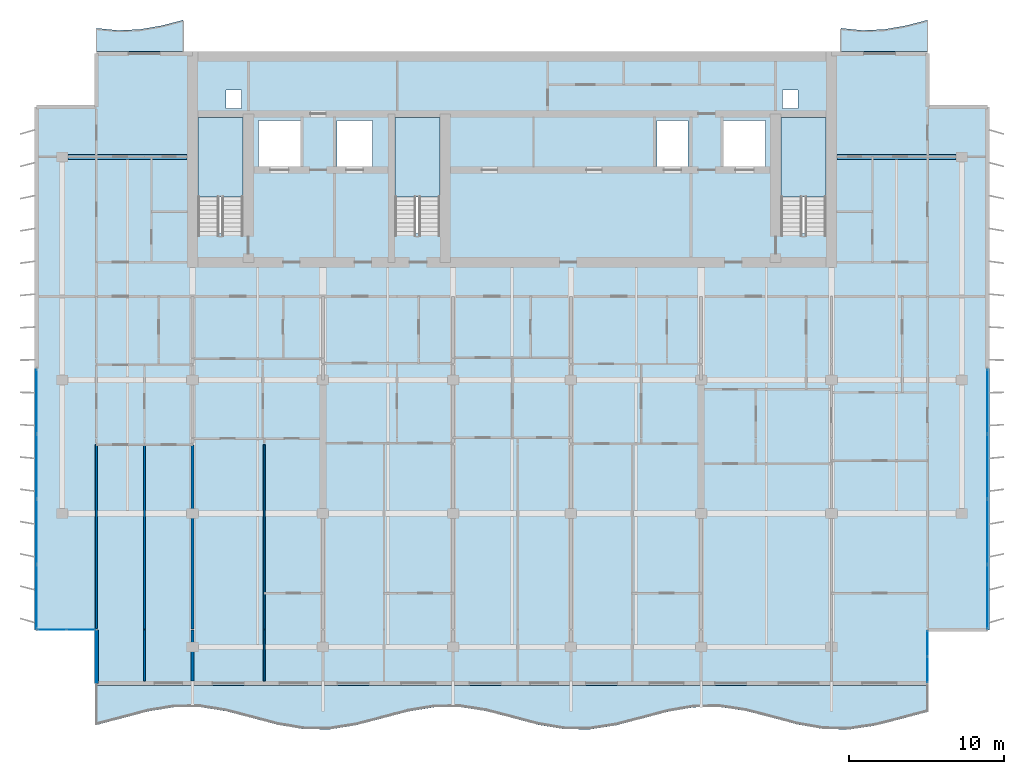
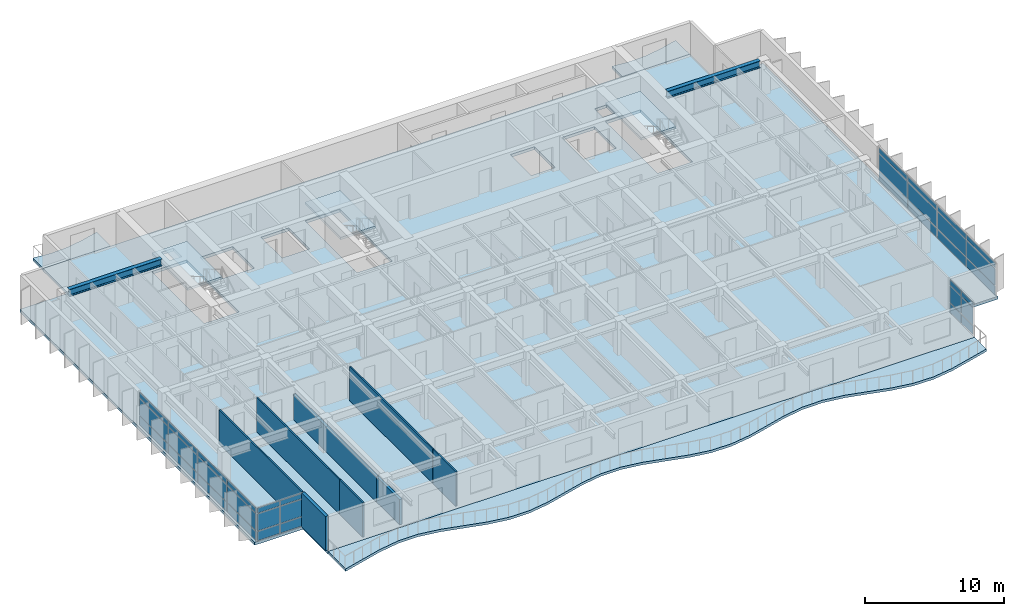
# One storey, part 5 of 16: 36 plates, 8 walls, 7 slabs, 2 beams, 7 elements without a shape of their own.
"""IFC4 building model written with IfcOpenShell, lengths in metres."""

from ifc_helpers import new_model, si_unit, direction, frame, frame_2d, origin, origin_2d, place, context, subcontext, project, spatial, polyline, rectangle, i_section, outline, extrude, material, layer, layer_set, material_profile, profile_set, type_object, element, aggregate, save


model = new_model("IFC4")

# Units and contexts
model_context = context("Model", 3, precision=1e-05, world=origin(), true_north=direction((0.0, 1.0)))
body_context = subcontext(model_context, "Body", "Model", "MODEL_VIEW")
ifc_project = project(units=[si_unit("LENGTHUNIT", "METRE"), si_unit("AREAUNIT", "SQUARE_METRE"), si_unit("VOLUMEUNIT", "CUBIC_METRE"), si_unit("PLANEANGLEUNIT", "RADIAN"), si_unit("MASSUNIT", "GRAM", prefix="KILO")], contexts=[model_context])

# Site, building, storey
site_placement = place(None, origin())
site = spatial("IfcSite", under=ifc_project, at=site_placement, CompositionType="ELEMENT")
building_placement = place(site_placement, origin())
building = spatial("IfcBuilding", under=site, at=building_placement, Name="Caelmar Bay Residences", CompositionType="ELEMENT")
storey_placement = place(building_placement, frame((0.0, 0.0, 266.10009765625)))
storey = spatial("IfcBuildingStorey", under=building, at=storey_placement, Name="L75", CompositionType="ELEMENT", Elevation=266.10009765625)

# Beams
ifc_material_1 = material(Name="Steel ASTM A992 Grade 50", Category="steel")
ifc_material_profile = material_profile(ifc_material_1, i_section(OverallWidth=0.324951171875, OverallDepth=0.616943359375, WebThickness=0.013916015625, FlangeThickness=0.021484375, FilletRadius=0.0126953125, at=origin_2d()), Name="W24X117")
ifc_profile_set = profile_set([ifc_material_profile], Name="Steel ASTM A992 Grade 50")
beam_type = type_object("IfcBeamType", Name="BM-SPN-W24X117", PredefinedType="SPANDREL", material=ifc_profile_set)
beam_1_placement = place(storey_placement, frame((10.264892578125, 43.800048828125, 2.69140625), z_axis=(1.0, 0.0, 0.0), x_axis=(0.0, 1.0, 0.0)))
element("IfcBeam", 1, at=beam_1_placement, inside=storey, type_object=beam_type, Name="L75 North-West Wing Core Tie Girder", PredefinedType="SPANDREL", context=body_context, shape_type="SweptSolid", body=[
    extrude(i_section(OverallWidth=0.324951171875, OverallDepth=0.616943359375, WebThickness=0.013916015625, FlangeThickness=0.021484375, FilletRadius=0.0126953125, at=origin_2d()), origin(), (0.0, 0.0, 1.0), 7.68505859375),
])
beam_2_placement = place(storey_placement, frame((59.85009765625, 43.800048828125, 2.69140625), z_axis=(1.0, 0.0, 0.0), x_axis=(0.0, 1.0, 0.0)))
element("IfcBeam", 2, at=beam_2_placement, inside=storey, type_object=beam_type, Name="L75 North-East Wing Core Tie Girder", PredefinedType="SPANDREL", context=body_context, shape_type="SweptSolid", body=[
    extrude(i_section(OverallWidth=0.324951171875, OverallDepth=0.616943359375, WebThickness=0.013916015625, FlangeThickness=0.021484375, FilletRadius=0.0126953125, at=origin_2d()), origin(), (0.0, 0.0, 1.0), 7.684814453125),
])

# Curtain wall, plates
ifc_material_2 = material(Name="Anodised bronze aluminium 6063-T6 and laminated glass", Category="aluminium")
ifc_layer_1 = layer(ifc_material_2, 0.179931640625)
ifc_layer_set_1 = layer_set([ifc_layer_1], Name="Anodised bronze aluminium 6063-T6 and laminated glass")
curtain_wall_type_1 = type_object("IfcCurtainWallType", Name="CW6-NTC", PredefinedType="NOTDEFINED", material=ifc_layer_set_1)
curtain_wall_1_placement = place(storey_placement, origin())
curtain_wall_1 = element("IfcCurtainWall", 3, at=curtain_wall_1_placement, inside=storey, type_object=curtain_wall_type_1, Name="CW6 curtain wall L75", PredefinedType="NOTDEFINED")
ifc_material_3 = material(Name="Bronze-tinted laminated low-E hurricane glass 28 mm", Category="glass")
ifc_layer_2 = layer(ifc_material_3, 0.028076171875)
ifc_layer_set_2 = layer_set([ifc_layer_2], Name="Bronze-tinted laminated low-E hurricane glass 28 mm")
plate_type_1 = type_object("IfcPlateType", Name="CWP-GLZ28", PredefinedType="CURTAIN_PANEL", material=ifc_layer_set_2)
plate_1_placement = place(storey_placement, frame((9.232421875, 13.300048828125, 0.080078125), z_axis=(0.0, 0.0, 1.0), x_axis=(1.0, 0.0, 0.0)))
plate_1 = element("IfcPlate", 4, at=plate_1_placement, type_object=plate_type_1, Name="CW6 panel 1.1", PredefinedType="CURTAIN_PANEL", context=body_context, shape_type="SweptSolid", body=[
    extrude(rectangle(XDim=1.804931640625, YDim=0.028076171875, at=origin_2d()), origin(), (0.0, 0.0, 1.0), 0.780029296875),
])
plate_2_placement = place(storey_placement, frame((9.232421875, 13.300048828125, 0.93994140625), z_axis=(0.0, 0.0, 1.0), x_axis=(1.0, 0.0, 0.0)))
plate_2 = element("IfcPlate", 5, at=plate_2_placement, type_object=plate_type_1, Name="CW6 panel 1.2", PredefinedType="CURTAIN_PANEL", context=body_context, shape_type="SweptSolid", body=[
    extrude(rectangle(XDim=1.804931640625, YDim=0.028076171875, at=origin_2d()), origin(), (0.0, 0.0, 1.0), 1.469970703125),
])
plate_3_placement = place(storey_placement, frame((9.232421875, 13.300048828125, 2.48974609375), z_axis=(0.0, 0.0, 1.0), x_axis=(1.0, 0.0, 0.0)))
plate_3 = element("IfcPlate", 6, at=plate_3_placement, type_object=plate_type_1, Name="CW6 panel 1.3", PredefinedType="CURTAIN_PANEL", context=body_context, shape_type="SweptSolid", body=[
    extrude(rectangle(XDim=1.804931640625, YDim=0.028076171875, at=origin_2d()), origin(), (0.0, 0.0, 1.0), 0.429931640625),
])
plate_4_placement = place(storey_placement, frame((11.117431640625, 13.300048828125, 0.080078125), z_axis=(0.0, 0.0, 1.0), x_axis=(1.0, 0.0, 0.0)))
plate_4 = element("IfcPlate", 7, at=plate_4_placement, type_object=plate_type_1, Name="CW6 panel 2.1", PredefinedType="CURTAIN_PANEL", context=body_context, shape_type="SweptSolid", body=[
    extrude(rectangle(XDim=1.804931640625, YDim=0.028076171875, at=origin_2d()), origin(), (0.0, 0.0, 1.0), 0.780029296875),
])
plate_5_placement = place(storey_placement, frame((11.117431640625, 13.300048828125, 0.93994140625), z_axis=(0.0, 0.0, 1.0), x_axis=(1.0, 0.0, 0.0)))
plate_5 = element("IfcPlate", 8, at=plate_5_placement, type_object=plate_type_1, Name="CW6 panel 2.2", PredefinedType="CURTAIN_PANEL", context=body_context, shape_type="SweptSolid", body=[
    extrude(rectangle(XDim=1.804931640625, YDim=0.028076171875, at=origin_2d()), origin(), (0.0, 0.0, 1.0), 1.469970703125),
])
plate_6_placement = place(storey_placement, frame((11.117431640625, 13.300048828125, 2.48974609375), z_axis=(0.0, 0.0, 1.0), x_axis=(1.0, 0.0, 0.0)))
plate_6 = element("IfcPlate", 9, at=plate_6_placement, type_object=plate_type_1, Name="CW6 panel 2.3", PredefinedType="CURTAIN_PANEL", context=body_context, shape_type="SweptSolid", body=[
    extrude(rectangle(XDim=1.804931640625, YDim=0.028076171875, at=origin_2d()), origin(), (0.0, 0.0, 1.0), 0.429931640625),
])
aggregate(curtain_wall_1, [plate_1, plate_2, plate_3, plate_4, plate_5, plate_6])

curtain_wall_2_placement = place(storey_placement, origin())
curtain_wall_2 = element("IfcCurtainWall", 10, at=curtain_wall_2_placement, inside=storey, type_object=curtain_wall_type_1, Name="CW6 curtain wall L75", PredefinedType="NOTDEFINED")
plate_7_placement = place(storey_placement, frame((65.699951171875, 10.732421875, 0.080078125), z_axis=(0.0, 0.0, 1.0), x_axis=(0.0, 1.0, 0.0)))
plate_7 = element("IfcPlate", 11, at=plate_7_placement, type_object=plate_type_1, Name="CW6 panel 1.1", PredefinedType="CURTAIN_PANEL", context=body_context, shape_type="SweptSolid", body=[
    extrude(rectangle(XDim=1.60498046875, YDim=0.028076171875, at=origin_2d()), origin(), (0.0, 0.0, 1.0), 0.780029296875),
])
plate_8_placement = place(storey_placement, frame((65.699951171875, 10.732421875, 0.93994140625), z_axis=(0.0, 0.0, 1.0), x_axis=(0.0, 1.0, 0.0)))
plate_8 = element("IfcPlate", 12, at=plate_8_placement, type_object=plate_type_1, Name="CW6 panel 1.2", PredefinedType="CURTAIN_PANEL", context=body_context, shape_type="SweptSolid", body=[
    extrude(rectangle(XDim=1.60498046875, YDim=0.028076171875, at=origin_2d()), origin(), (0.0, 0.0, 1.0), 1.469970703125),
])
plate_9_placement = place(storey_placement, frame((65.699951171875, 10.732421875, 2.48974609375), z_axis=(0.0, 0.0, 1.0), x_axis=(0.0, 1.0, 0.0)))
plate_9 = element("IfcPlate", 13, at=plate_9_placement, type_object=plate_type_1, Name="CW6 panel 1.3", PredefinedType="CURTAIN_PANEL", context=body_context, shape_type="SweptSolid", body=[
    extrude(rectangle(XDim=1.60498046875, YDim=0.028076171875, at=origin_2d()), origin(), (0.0, 0.0, 1.0), 0.429931640625),
])
plate_10_placement = place(storey_placement, frame((65.699951171875, 12.41748046875, 0.080078125), z_axis=(0.0, 0.0, 1.0), x_axis=(0.0, 1.0, 0.0)))
plate_10 = element("IfcPlate", 14, at=plate_10_placement, type_object=plate_type_1, Name="CW6 panel 2.1", PredefinedType="CURTAIN_PANEL", context=body_context, shape_type="SweptSolid", body=[
    extrude(rectangle(XDim=1.60498046875, YDim=0.028076171875, at=origin_2d()), origin(), (0.0, 0.0, 1.0), 0.780029296875),
])
plate_11_placement = place(storey_placement, frame((65.699951171875, 12.41748046875, 0.93994140625), z_axis=(0.0, 0.0, 1.0), x_axis=(0.0, 1.0, 0.0)))
plate_11 = element("IfcPlate", 15, at=plate_11_placement, type_object=plate_type_1, Name="CW6 panel 2.2", PredefinedType="CURTAIN_PANEL", context=body_context, shape_type="SweptSolid", body=[
    extrude(rectangle(XDim=1.60498046875, YDim=0.028076171875, at=origin_2d()), origin(), (0.0, 0.0, 1.0), 1.469970703125),
])
plate_12_placement = place(storey_placement, frame((65.699951171875, 12.41748046875, 2.48974609375), z_axis=(0.0, 0.0, 1.0), x_axis=(0.0, 1.0, 0.0)))
plate_12 = element("IfcPlate", 16, at=plate_12_placement, type_object=plate_type_1, Name="CW6 panel 2.3", PredefinedType="CURTAIN_PANEL", context=body_context, shape_type="SweptSolid", body=[
    extrude(rectangle(XDim=1.60498046875, YDim=0.028076171875, at=origin_2d()), origin(), (0.0, 0.0, 1.0), 0.429931640625),
])
aggregate(curtain_wall_2, [plate_7, plate_8, plate_9, plate_10, plate_11, plate_12])

ifc_layer_3 = layer(ifc_material_2, 0.179931640625)
ifc_layer_set_3 = layer_set([ifc_layer_3], Name="Anodised bronze aluminium 6063-T6 and laminated glass")
curtain_wall_type_2 = type_object("IfcCurtainWallType", Name="CW5-Z4", PredefinedType="NOTDEFINED", material=ifc_layer_set_3)
curtain_wall_3_placement = place(storey_placement, origin())
curtain_wall_3 = element("IfcCurtainWall", 17, at=curtain_wall_3_placement, inside=storey, type_object=curtain_wall_type_2, Name="CW5 curtain wall L75", PredefinedType="NOTDEFINED")
ifc_material_4 = material(Name="Bronze-tinted laminated low-E hurricane glass 32 mm", Category="glass")
ifc_layer_4 = layer(ifc_material_4, 0.031982421875)
ifc_layer_set_4 = layer_set([ifc_layer_4], Name="Bronze-tinted laminated low-E hurricane glass 32 mm")
plate_type_2 = type_object("IfcPlateType", Name="CWP-GLZ32", PredefinedType="CURTAIN_PANEL", material=ifc_layer_set_4)
plate_13_placement = place(storey_placement, frame((8.25, 15.42626953125, 0.080078125), z_axis=(0.0, 0.0, 1.0), x_axis=(0.0, 1.0, 0.0)))
plate_13 = element("IfcPlate", 18, at=plate_13_placement, type_object=plate_type_2, Name="CW5 panel 1.1", PredefinedType="CURTAIN_PANEL", context=body_context, shape_type="SweptSolid", body=[
    extrude(rectangle(XDim=4.092529296875, YDim=0.031982421875, at=origin_2d()), origin(), (0.0, 0.0, 1.0), 0.780029296875),
])
plate_14_placement = place(storey_placement, frame((8.25, 15.42626953125, 0.93994140625), z_axis=(0.0, 0.0, 1.0), x_axis=(0.0, 1.0, 0.0)))
plate_14 = element("IfcPlate", 19, at=plate_14_placement, type_object=plate_type_2, Name="CW5 panel 1.2", PredefinedType="CURTAIN_PANEL", context=body_context, shape_type="SweptSolid", body=[
    extrude(rectangle(XDim=4.092529296875, YDim=0.031982421875, at=origin_2d()), origin(), (0.0, 0.0, 1.0), 1.469970703125),
])
plate_15_placement = place(storey_placement, frame((8.25, 15.42626953125, 2.48974609375), z_axis=(0.0, 0.0, 1.0), x_axis=(0.0, 1.0, 0.0)))
plate_15 = element("IfcPlate", 20, at=plate_15_placement, type_object=plate_type_2, Name="CW5 panel 1.3", PredefinedType="CURTAIN_PANEL", context=body_context, shape_type="SweptSolid", body=[
    extrude(rectangle(XDim=4.092529296875, YDim=0.031982421875, at=origin_2d()), origin(), (0.0, 0.0, 1.0), 0.429931640625),
])
plate_16_placement = place(storey_placement, frame((8.25, 19.61865234375, 0.080078125), z_axis=(0.0, 0.0, 1.0), x_axis=(0.0, 1.0, 0.0)))
plate_16 = element("IfcPlate", 21, at=plate_16_placement, type_object=plate_type_2, Name="CW5 panel 2.1", PredefinedType="CURTAIN_PANEL", context=body_context, shape_type="SweptSolid", body=[
    extrude(rectangle(XDim=4.132568359375, YDim=0.031982421875, at=origin_2d()), origin(), (0.0, 0.0, 1.0), 0.780029296875),
])
plate_17_placement = place(storey_placement, frame((8.25, 19.61865234375, 0.93994140625), z_axis=(0.0, 0.0, 1.0), x_axis=(0.0, 1.0, 0.0)))
plate_17 = element("IfcPlate", 22, at=plate_17_placement, type_object=plate_type_2, Name="CW5 panel 2.2", PredefinedType="CURTAIN_PANEL", context=body_context, shape_type="SweptSolid", body=[
    extrude(rectangle(XDim=4.132568359375, YDim=0.031982421875, at=origin_2d()), origin(), (0.0, 0.0, 1.0), 1.469970703125),
])
plate_18_placement = place(storey_placement, frame((8.25, 19.61865234375, 2.48974609375), z_axis=(0.0, 0.0, 1.0), x_axis=(0.0, 1.0, 0.0)))
plate_18 = element("IfcPlate", 23, at=plate_18_placement, type_object=plate_type_2, Name="CW5 panel 2.3", PredefinedType="CURTAIN_PANEL", context=body_context, shape_type="SweptSolid", body=[
    extrude(rectangle(XDim=4.132568359375, YDim=0.031982421875, at=origin_2d()), origin(), (0.0, 0.0, 1.0), 0.429931640625),
])
plate_19_placement = place(storey_placement, frame((8.25, 23.831298828125, 0.080078125), z_axis=(0.0, 0.0, 1.0), x_axis=(0.0, 1.0, 0.0)))
plate_19 = element("IfcPlate", 24, at=plate_19_placement, type_object=plate_type_2, Name="CW5 panel 3.1", PredefinedType="CURTAIN_PANEL", context=body_context, shape_type="SweptSolid", body=[
    extrude(rectangle(XDim=4.132568359375, YDim=0.031982421875, at=origin_2d()), origin(), (0.0, 0.0, 1.0), 0.780029296875),
])
plate_20_placement = place(storey_placement, frame((8.25, 23.831298828125, 0.93994140625), z_axis=(0.0, 0.0, 1.0), x_axis=(0.0, 1.0, 0.0)))
plate_20 = element("IfcPlate", 25, at=plate_20_placement, type_object=plate_type_2, Name="CW5 panel 3.2", PredefinedType="CURTAIN_PANEL", context=body_context, shape_type="SweptSolid", body=[
    extrude(rectangle(XDim=4.132568359375, YDim=0.031982421875, at=origin_2d()), origin(), (0.0, 0.0, 1.0), 1.469970703125),
])
plate_21_placement = place(storey_placement, frame((8.25, 23.831298828125, 2.48974609375), z_axis=(0.0, 0.0, 1.0), x_axis=(0.0, 1.0, 0.0)))
plate_21 = element("IfcPlate", 26, at=plate_21_placement, type_object=plate_type_2, Name="CW5 panel 3.3", PredefinedType="CURTAIN_PANEL", context=body_context, shape_type="SweptSolid", body=[
    extrude(rectangle(XDim=4.132568359375, YDim=0.031982421875, at=origin_2d()), origin(), (0.0, 0.0, 1.0), 0.429931640625),
])
plate_22_placement = place(storey_placement, frame((8.25, 28.023681640625, 0.080078125), z_axis=(0.0, 0.0, 1.0), x_axis=(0.0, 1.0, 0.0)))
plate_22 = element("IfcPlate", 27, at=plate_22_placement, type_object=plate_type_2, Name="CW5 panel 4.1", PredefinedType="CURTAIN_PANEL", context=body_context, shape_type="SweptSolid", body=[
    extrude(rectangle(XDim=4.092529296875, YDim=0.031982421875, at=origin_2d()), origin(), (0.0, 0.0, 1.0), 0.780029296875),
])
plate_23_placement = place(storey_placement, frame((8.25, 28.023681640625, 0.93994140625), z_axis=(0.0, 0.0, 1.0), x_axis=(0.0, 1.0, 0.0)))
plate_23 = element("IfcPlate", 28, at=plate_23_placement, type_object=plate_type_2, Name="CW5 panel 4.2", PredefinedType="CURTAIN_PANEL", context=body_context, shape_type="SweptSolid", body=[
    extrude(rectangle(XDim=4.092529296875, YDim=0.031982421875, at=origin_2d()), origin(), (0.0, 0.0, 1.0), 1.469970703125),
])
plate_24_placement = place(storey_placement, frame((8.25, 28.023681640625, 2.48974609375), z_axis=(0.0, 0.0, 1.0), x_axis=(0.0, 1.0, 0.0)))
plate_24 = element("IfcPlate", 29, at=plate_24_placement, type_object=plate_type_2, Name="CW5 panel 4.3", PredefinedType="CURTAIN_PANEL", context=body_context, shape_type="SweptSolid", body=[
    extrude(rectangle(XDim=4.092529296875, YDim=0.031982421875, at=origin_2d()), origin(), (0.0, 0.0, 1.0), 0.429931640625),
])
aggregate(curtain_wall_3, [plate_13, plate_14, plate_15, plate_16, plate_17, plate_18, plate_19, plate_20, plate_21, plate_22, plate_23, plate_24])

curtain_wall_4_placement = place(storey_placement, origin())
curtain_wall_4 = element("IfcCurtainWall", 30, at=curtain_wall_4_placement, inside=storey, type_object=curtain_wall_type_2, Name="CW5 curtain wall L75", PredefinedType="NOTDEFINED")
plate_25_placement = place(storey_placement, frame((69.550048828125, 28.023681640625, 0.080078125), z_axis=(0.0, 0.0, 1.0), x_axis=(0.0, -1.0, 0.0)))
plate_25 = element("IfcPlate", 31, at=plate_25_placement, type_object=plate_type_2, Name="CW5 panel 1.1", PredefinedType="CURTAIN_PANEL", context=body_context, shape_type="SweptSolid", body=[
    extrude(rectangle(XDim=4.092529296875, YDim=0.031982421875, at=origin_2d()), origin(), (0.0, 0.0, 1.0), 0.780029296875),
])
plate_26_placement = place(storey_placement, frame((69.550048828125, 28.023681640625, 0.93994140625), z_axis=(0.0, 0.0, 1.0), x_axis=(0.0, -1.0, 0.0)))
plate_26 = element("IfcPlate", 32, at=plate_26_placement, type_object=plate_type_2, Name="CW5 panel 1.2", PredefinedType="CURTAIN_PANEL", context=body_context, shape_type="SweptSolid", body=[
    extrude(rectangle(XDim=4.092529296875, YDim=0.031982421875, at=origin_2d()), origin(), (0.0, 0.0, 1.0), 1.469970703125),
])
plate_27_placement = place(storey_placement, frame((69.550048828125, 28.023681640625, 2.48974609375), z_axis=(0.0, 0.0, 1.0), x_axis=(0.0, -1.0, 0.0)))
plate_27 = element("IfcPlate", 33, at=plate_27_placement, type_object=plate_type_2, Name="CW5 panel 1.3", PredefinedType="CURTAIN_PANEL", context=body_context, shape_type="SweptSolid", body=[
    extrude(rectangle(XDim=4.092529296875, YDim=0.031982421875, at=origin_2d()), origin(), (0.0, 0.0, 1.0), 0.429931640625),
])
plate_28_placement = place(storey_placement, frame((69.550048828125, 23.831298828125, 0.080078125), z_axis=(0.0, 0.0, 1.0), x_axis=(0.0, -1.0, 0.0)))
plate_28 = element("IfcPlate", 34, at=plate_28_placement, type_object=plate_type_2, Name="CW5 panel 2.1", PredefinedType="CURTAIN_PANEL", context=body_context, shape_type="SweptSolid", body=[
    extrude(rectangle(XDim=4.132568359375, YDim=0.031982421875, at=origin_2d()), origin(), (0.0, 0.0, 1.0), 0.780029296875),
])
plate_29_placement = place(storey_placement, frame((69.550048828125, 23.831298828125, 0.93994140625), z_axis=(0.0, 0.0, 1.0), x_axis=(0.0, -1.0, 0.0)))
plate_29 = element("IfcPlate", 35, at=plate_29_placement, type_object=plate_type_2, Name="CW5 panel 2.2", PredefinedType="CURTAIN_PANEL", context=body_context, shape_type="SweptSolid", body=[
    extrude(rectangle(XDim=4.132568359375, YDim=0.031982421875, at=origin_2d()), origin(), (0.0, 0.0, 1.0), 1.469970703125),
])
plate_30_placement = place(storey_placement, frame((69.550048828125, 23.831298828125, 2.48974609375), z_axis=(0.0, 0.0, 1.0), x_axis=(0.0, -1.0, 0.0)))
plate_30 = element("IfcPlate", 36, at=plate_30_placement, type_object=plate_type_2, Name="CW5 panel 2.3", PredefinedType="CURTAIN_PANEL", context=body_context, shape_type="SweptSolid", body=[
    extrude(rectangle(XDim=4.132568359375, YDim=0.031982421875, at=origin_2d()), origin(), (0.0, 0.0, 1.0), 0.429931640625),
])
plate_31_placement = place(storey_placement, frame((69.550048828125, 19.61865234375, 0.080078125), z_axis=(0.0, 0.0, 1.0), x_axis=(0.0, -1.0, 0.0)))
plate_31 = element("IfcPlate", 37, at=plate_31_placement, type_object=plate_type_2, Name="CW5 panel 3.1", PredefinedType="CURTAIN_PANEL", context=body_context, shape_type="SweptSolid", body=[
    extrude(rectangle(XDim=4.132568359375, YDim=0.031982421875, at=origin_2d()), origin(), (0.0, 0.0, 1.0), 0.780029296875),
])
plate_32_placement = place(storey_placement, frame((69.550048828125, 19.61865234375, 0.93994140625), z_axis=(0.0, 0.0, 1.0), x_axis=(0.0, -1.0, 0.0)))
plate_32 = element("IfcPlate", 38, at=plate_32_placement, type_object=plate_type_2, Name="CW5 panel 3.2", PredefinedType="CURTAIN_PANEL", context=body_context, shape_type="SweptSolid", body=[
    extrude(rectangle(XDim=4.132568359375, YDim=0.031982421875, at=origin_2d()), origin(), (0.0, 0.0, 1.0), 1.469970703125),
])
plate_33_placement = place(storey_placement, frame((69.550048828125, 19.61865234375, 2.48974609375), z_axis=(0.0, 0.0, 1.0), x_axis=(0.0, -1.0, 0.0)))
plate_33 = element("IfcPlate", 39, at=plate_33_placement, type_object=plate_type_2, Name="CW5 panel 3.3", PredefinedType="CURTAIN_PANEL", context=body_context, shape_type="SweptSolid", body=[
    extrude(rectangle(XDim=4.132568359375, YDim=0.031982421875, at=origin_2d()), origin(), (0.0, 0.0, 1.0), 0.429931640625),
])
plate_34_placement = place(storey_placement, frame((69.550048828125, 15.42626953125, 0.080078125), z_axis=(0.0, 0.0, 1.0), x_axis=(0.0, -1.0, 0.0)))
plate_34 = element("IfcPlate", 40, at=plate_34_placement, type_object=plate_type_2, Name="CW5 panel 4.1", PredefinedType="CURTAIN_PANEL", context=body_context, shape_type="SweptSolid", body=[
    extrude(rectangle(XDim=4.092529296875, YDim=0.031982421875, at=origin_2d()), origin(), (0.0, 0.0, 1.0), 0.780029296875),
])
plate_35_placement = place(storey_placement, frame((69.550048828125, 15.42626953125, 0.93994140625), z_axis=(0.0, 0.0, 1.0), x_axis=(0.0, -1.0, 0.0)))
plate_35 = element("IfcPlate", 41, at=plate_35_placement, type_object=plate_type_2, Name="CW5 panel 4.2", PredefinedType="CURTAIN_PANEL", context=body_context, shape_type="SweptSolid", body=[
    extrude(rectangle(XDim=4.092529296875, YDim=0.031982421875, at=origin_2d()), origin(), (0.0, 0.0, 1.0), 1.469970703125),
])
plate_36_placement = place(storey_placement, frame((69.550048828125, 15.42626953125, 2.48974609375), z_axis=(0.0, 0.0, 1.0), x_axis=(0.0, -1.0, 0.0)))
plate_36 = element("IfcPlate", 42, at=plate_36_placement, type_object=plate_type_2, Name="CW5 panel 4.3", PredefinedType="CURTAIN_PANEL", context=body_context, shape_type="SweptSolid", body=[
    extrude(rectangle(XDim=4.092529296875, YDim=0.031982421875, at=origin_2d()), origin(), (0.0, 0.0, 1.0), 0.429931640625),
])
aggregate(curtain_wall_4, [plate_25, plate_26, plate_27, plate_28, plate_29, plate_30, plate_31, plate_32, plate_33, plate_34, plate_35, plate_36])

# Slabs
ifc_material_5 = material(Name="Concrete f'c 40 MPa (6,000 psi)", Category="concrete")
ifc_layer_5 = layer(ifc_material_5, 0.219970703125)
ifc_layer_set_5 = layer_set([ifc_layer_5], Name="Concrete f'c 40 MPa (6,000 psi)")
slab_type_1 = type_object("IfcSlabType", Name="SLB-BAL-220", PredefinedType="FLOOR", material=ifc_layer_set_5)
slab_1_placement = place(storey_placement, frame((0.0, 0.0, -0.22021484375)))
element("IfcSlab", 43, at=slab_1_placement, inside=storey, type_object=slab_type_1, Name="L75 Sinusoidal Tree-Balcony Slab south", PredefinedType="FLOOR", context=body_context, shape_type="SweptSolid", body=[
    extrude(outline(polyline([(12.10009765625, 7.1591796875), (13.77490234375, 7.5986328125), (15.449951171875, 8.03857421875), (17.125, 8.31201171875), (18.800048828125, 8.31494140625), (20.47509765625, 8.04638671875), (22.14990234375, 7.6083984375), (23.824951171875, 7.1669921875), (25.5, 6.890380859375), (27.175048828125, 6.8828125), (28.85009765625, 7.14794921875), (30.52490234375, 7.584716796875), (32.199951171875, 8.027099609375), (33.875, 8.307373046875), (35.550048828125, 8.319091796875), (37.22509765625, 8.0576171875), (38.89990234375, 7.622314453125), (40.574951171875, 7.1787109375), (42.25, 6.89501953125), (43.925048828125, 6.87890625), (45.60009765625, 7.13671875), (47.27490234375, 7.570556640625), (48.949951171875, 8.015380859375), (50.625, 8.302734375), (52.300048828125, 8.322998046875), (53.97509765625, 8.068603515625), (55.64990234375, 7.636474609375), (57.324951171875, 7.190185546875), (59.0, 6.89990234375), (60.675048828125, 6.875244140625), (62.35009765625, 7.125732421875), (64.02490234375, 7.556396484375), (65.699951171875, 8.00390625), (65.699951171875, 9.699951171875), (12.10009765625, 9.699951171875), (12.10009765625, 7.1591796875)])), origin(), (0.0, 0.0, 1.0), 0.22021484375),
])
slab_2_placement = place(storey_placement, frame((0.0, 0.0, -0.22021484375)))
element("IfcSlab", 44, at=slab_2_placement, inside=storey, type_object=slab_type_1, Name="L75 Sinusoidal Tree-Balcony Slab north_west", PredefinedType="FLOOR", context=body_context, shape_type="SweptSolid", body=[
    extrude(outline(polyline([(12.10009765625, 50.60009765625), (17.699951171875, 50.60009765625), (17.699951171875, 52.62158203125), (16.300048828125, 52.25927734375), (14.89990234375, 52.014892578125), (13.5, 51.9541015625), (12.10009765625, 52.09326171875), (12.10009765625, 50.60009765625)])), origin(), (0.0, 0.0, 1.0), 0.22021484375),
])
slab_3_placement = place(storey_placement, frame((0.0, 0.0, -0.22021484375)))
element("IfcSlab", 45, at=slab_3_placement, inside=storey, type_object=slab_type_1, Name="L75 Sinusoidal Tree-Balcony Slab north_east", PredefinedType="FLOOR", context=body_context, shape_type="SweptSolid", body=[
    extrude(outline(polyline([(60.10009765625, 50.60009765625), (65.699951171875, 50.60009765625), (65.699951171875, 52.62158203125), (64.300048828125, 52.25927734375), (62.89990234375, 52.014892578125), (61.5, 51.9541015625), (60.10009765625, 52.09326171875), (60.10009765625, 50.60009765625)])), origin(), (0.0, 0.0, 1.0), 0.22021484375),
])

# Stair, slab
stair_type = type_object("IfcStairType", Name="ST-TYP-165", PredefinedType="HALF_TURN_STAIR", material=ifc_material_5)
stair_1_placement = place(storey_placement, origin())
stair_1 = element("IfcStair", 46, at=stair_1_placement, inside=storey, type_object=stair_type, Name="L75 West Smokeproof Exit Stair ST1", PredefinedType="HALF_TURN_STAIR")
ifc_layer_6 = layer(ifc_material_5, 0.199951171875)
ifc_layer_set_6 = layer_set([ifc_layer_6], Name="Concrete f'c 40 MPa (6,000 psi)")
slab_type_2 = type_object("IfcSlabType", Name="SLB-LND-200", PredefinedType="LANDING", material=ifc_layer_set_6)
slab_4_placement = place(storey_placement, frame((0.0, 0.0, 1.449951171875)))
slab_4 = element("IfcSlab", 47, at=slab_4_placement, type_object=slab_type_2, Name="ST1 landing 1", PredefinedType="LANDING", context=body_context, shape_type="SweptSolid", body=[
    extrude(outline(polyline([(21.550048828125, 41.219970703125), (21.550048828125, 46.35009765625), (18.64990234375, 46.35009765625), (18.64990234375, 41.219970703125), (21.550048828125, 41.219970703125)])), origin(), (0.0, 0.0, 1.0), 0.199951171875),
])
aggregate(stair_1, [slab_4])

stair_2_placement = place(storey_placement, origin())
stair_2 = element("IfcStair", 48, at=stair_2_placement, inside=storey, type_object=stair_type, Name="L75 East Smokeproof Exit Stair ST2", PredefinedType="HALF_TURN_STAIR")
slab_5_placement = place(storey_placement, frame((0.0, 0.0, 1.449951171875)))
slab_5 = element("IfcSlab", 49, at=slab_5_placement, type_object=slab_type_2, Name="ST2 landing 1", PredefinedType="LANDING", context=body_context, shape_type="SweptSolid", body=[
    extrude(outline(polyline([(59.14990234375, 41.219970703125), (59.14990234375, 46.35009765625), (56.25, 46.35009765625), (56.25, 41.219970703125), (59.14990234375, 41.219970703125)])), origin(), (0.0, 0.0, 1.0), 0.199951171875),
])
aggregate(stair_2, [slab_5])

stair_3_placement = place(storey_placement, origin())
stair_3 = element("IfcStair", 50, at=stair_3_placement, inside=storey, type_object=stair_type, Name="L75 Central Smokeproof Exit Stair ST3", PredefinedType="HALF_TURN_STAIR")
slab_6_placement = place(storey_placement, frame((0.0, 0.0, 1.449951171875)))
slab_6 = element("IfcSlab", 51, at=slab_6_placement, type_object=slab_type_2, Name="ST3 landing 1", PredefinedType="LANDING", context=body_context, shape_type="SweptSolid", body=[
    extrude(outline(polyline([(34.25, 41.219970703125), (34.25, 46.35009765625), (31.35009765625, 46.35009765625), (31.35009765625, 41.219970703125), (34.25, 41.219970703125)])), origin(), (0.0, 0.0, 1.0), 0.199951171875),
])
aggregate(stair_3, [slab_6])

# Slab
ifc_layer_7 = layer(ifc_material_5, 0.25)
ifc_layer_set_7 = layer_set([ifc_layer_7], Name="Concrete f'c 40 MPa (6,000 psi)")
slab_type_3 = type_object("IfcSlabType", Name="SLB-RES-250", PredefinedType="FLOOR", material=ifc_layer_set_7)
slab_7_placement = place(storey_placement, frame((0.0, 0.0, -0.25)))
element("IfcSlab", 52, at=slab_7_placement, inside=storey, type_object=slab_type_3, Name="L75 Structural Floor Slab", PredefinedType="FLOOR", context=body_context, shape_type="SweptSolid", body=[
    extrude(outline(polyline([(12.10009765625, 9.699951171875), (65.699951171875, 9.699951171875), (65.699951171875, 13.300048828125), (69.699951171875, 13.300048828125), (69.699951171875, 47.0), (65.699951171875, 47.0), (65.699951171875, 50.60009765625), (12.10009765625, 50.60009765625), (12.10009765625, 47.0), (8.10009765625, 47.0), (8.10009765625, 13.300048828125), (12.10009765625, 13.300048828125), (12.10009765625, 9.699951171875)]), holes=[polyline([(18.64990234375, 38.85009765625), (21.550048828125, 38.85009765625), (21.550048828125, 46.35009765625), (18.64990234375, 46.35009765625), (18.64990234375, 38.85009765625)]), polyline([(56.25, 38.85009765625), (59.14990234375, 38.85009765625), (59.14990234375, 46.35009765625), (56.25, 46.35009765625), (56.25, 38.85009765625)]), polyline([(31.35009765625, 38.85009765625), (34.25, 38.85009765625), (34.25, 46.35009765625), (31.35009765625, 46.35009765625), (31.35009765625, 38.85009765625)]), polyline([(22.550048828125, 43.050048828125), (25.25, 43.050048828125), (25.25, 46.14990234375), (22.550048828125, 46.14990234375), (22.550048828125, 43.050048828125)]), polyline([(52.550048828125, 43.050048828125), (55.25, 43.050048828125), (55.25, 46.14990234375), (52.550048828125, 46.14990234375), (52.550048828125, 43.050048828125)]), polyline([(48.25, 43.14990234375), (50.25, 43.14990234375), (50.25, 46.14990234375), (48.25, 46.14990234375), (48.25, 43.14990234375)]), polyline([(27.60009765625, 43.14990234375), (29.89990234375, 43.14990234375), (29.89990234375, 46.14990234375), (27.60009765625, 46.14990234375), (27.60009765625, 43.14990234375)]), polyline([(20.449951171875, 46.89990234375), (21.449951171875, 46.89990234375), (21.449951171875, 48.10009765625), (20.449951171875, 48.10009765625), (20.449951171875, 46.89990234375)]), polyline([(56.35009765625, 46.89990234375), (57.35009765625, 46.89990234375), (57.35009765625, 48.10009765625), (56.35009765625, 48.10009765625), (56.35009765625, 46.89990234375)])]), origin(), (0.0, 0.0, 1.0), 0.25),
])

# Walls
ifc_material_6 = material(Name="Precast concrete f'c 40 MPa (6,000 psi)", Category="concrete")
ifc_layer_8 = layer(ifc_material_6, 0.25)
ifc_layer_set_8 = layer_set([ifc_layer_8], Name="Precast concrete f'c 40 MPa (6,000 psi)")
wall_type_1 = type_object("IfcWallType", Name="W-EXT-250", PredefinedType="ELEMENTEDWALL", material=ifc_layer_set_8)
wall_1_placement = place(storey_placement, frame((12.10009765625, 13.300048828125, 0.0), z_axis=(0.0, 0.0, 1.0), x_axis=(0.0, -1.0, 0.0)))
element("IfcWall", 53, at=wall_1_placement, inside=storey, type_object=wall_type_1, Name="L75 SW Notch Return Wall", PredefinedType="ELEMENTEDWALL", context=body_context, shape_type="SweptSolid", body=[
    extrude(rectangle(XDim=3.449951171875, YDim=0.25, at=frame_2d((1.72509765625, 0.0))), origin(), (0.0, 0.0, 1.0), 3.0),
])
ifc_material_7 = material(Name="Acoustic metal-stud gypsum partition 120 mm")
ifc_layer_9 = layer(ifc_material_7, 0.1201171875)
ifc_layer_set_9 = layer_set([ifc_layer_9], Name="Acoustic metal-stud gypsum partition 120 mm")
wall_type_2 = type_object("IfcWallType", Name="W-PRT-120", PredefinedType="PARTITIONING", material=ifc_layer_set_9)
wall_2_placement = place(storey_placement, frame((12.10009765625, 13.385009765625, 0.0), z_axis=(0.0, 0.0, 1.0), x_axis=(0.0, 1.0, 0.0)))
element("IfcWall", 54, at=wall_2_placement, inside=storey, type_object=wall_type_2, Name="L75 Partition Wall V001", PredefinedType="PARTITIONING", context=body_context, shape_type="SweptSolid", body=[
    extrude(rectangle(XDim=11.844970703125, YDim=0.1201171875, at=frame_2d((5.92236328125, 0.0))), origin(), (0.0, 0.0, 1.0), 3.0),
])
wall_3_placement = place(storey_placement, frame((15.199951171875, 9.9951171875, 0.0), z_axis=(0.0, 0.0, 1.0), x_axis=(0.0, 1.0, 0.0)))
element("IfcWall", 55, at=wall_3_placement, inside=storey, type_object=wall_type_2, Name="L75 Partition Wall V010", PredefinedType="PARTITIONING", context=body_context, shape_type="SweptSolid", body=[
    extrude(rectangle(XDim=3.304931640625, YDim=0.1201171875, at=frame_2d((1.65234375, 0.0))), origin(), (0.0, 0.0, 1.0), 3.0),
])
wall_4_placement = place(storey_placement, frame((15.199951171875, 13.340087890625, 0.0), z_axis=(0.0, 0.0, 1.0), x_axis=(0.0, 1.0, 0.0)))
element("IfcWall", 56, at=wall_4_placement, inside=storey, type_object=wall_type_2, Name="L75 Partition Wall V011", PredefinedType="PARTITIONING", context=body_context, shape_type="SweptSolid", body=[
    extrude(rectangle(XDim=11.889892578125, YDim=0.1201171875, at=frame_2d((5.94482421875, 0.0))), origin(), (0.0, 0.0, 1.0), 3.0),
])
wall_5_placement = place(storey_placement, frame((22.919921875, 9.9951171875, 0.0), z_axis=(0.0, 0.0, 1.0), x_axis=(0.0, 1.0, 0.0)))
element("IfcWall", 57, at=wall_5_placement, inside=storey, type_object=wall_type_2, Name="L75 Partition Wall V024", PredefinedType="PARTITIONING", context=body_context, shape_type="SweptSolid", body=[
    extrude(rectangle(XDim=3.304931640625, YDim=0.1201171875, at=frame_2d((1.65234375, 0.0))), origin(), (0.0, 0.0, 1.0), 3.0),
])
wall_6_placement = place(storey_placement, frame((22.919921875, 13.340087890625, 0.0), z_axis=(0.0, 0.0, 1.0), x_axis=(0.0, 1.0, 0.0)))
element("IfcWall", 58, at=wall_6_placement, inside=storey, type_object=wall_type_2, Name="L75 Partition Wall V025", PredefinedType="PARTITIONING", context=body_context, shape_type="SweptSolid", body=[
    extrude(rectangle(XDim=11.889892578125, YDim=0.1201171875, at=frame_2d((5.94482421875, 0.0))), origin(), (0.0, 0.0, 1.0), 3.0),
])
ifc_material_8 = material(Name="Acoustic twin-stud fire-rated inter-tenancy partition 200 mm")
ifc_layer_10 = layer(ifc_material_8, 0.199951171875)
ifc_layer_set_10 = layer_set([ifc_layer_10], Name="Acoustic twin-stud fire-rated inter-tenancy partition 200 mm")
wall_type_3 = type_object("IfcWallType", Name="W-PTY-200", PredefinedType="PARTITIONING", material=ifc_layer_set_10)
wall_7_placement = place(storey_placement, frame((18.300048828125, 9.9951171875, 0.0), z_axis=(0.0, 0.0, 1.0), x_axis=(0.0, 1.0, 0.0)))
element("IfcWall", 59, at=wall_7_placement, inside=storey, type_object=wall_type_3, Name="L75 Partition Wall V015", PredefinedType="PARTITIONING", context=body_context, shape_type="SweptSolid", body=[
    extrude(rectangle(XDim=3.304931640625, YDim=0.199951171875, at=frame_2d((1.65234375, 0.0))), origin(), (0.0, 0.0, 1.0), 2.212890625),
])
wall_8_placement = place(storey_placement, frame((18.300048828125, 13.340087890625, 0.0), z_axis=(0.0, 0.0, 1.0), x_axis=(0.0, 1.0, 0.0)))
element("IfcWall", 60, at=wall_8_placement, inside=storey, type_object=wall_type_3, Name="L75 Partition Wall V016", PredefinedType="PARTITIONING", context=body_context, shape_type="SweptSolid", body=[
    extrude(rectangle(XDim=11.889892578125, YDim=0.199951171875, at=frame_2d((5.94482421875, 0.0))), origin(), (0.0, 0.0, 1.0), 2.212890625),
])

save(model, "model.ifc")
